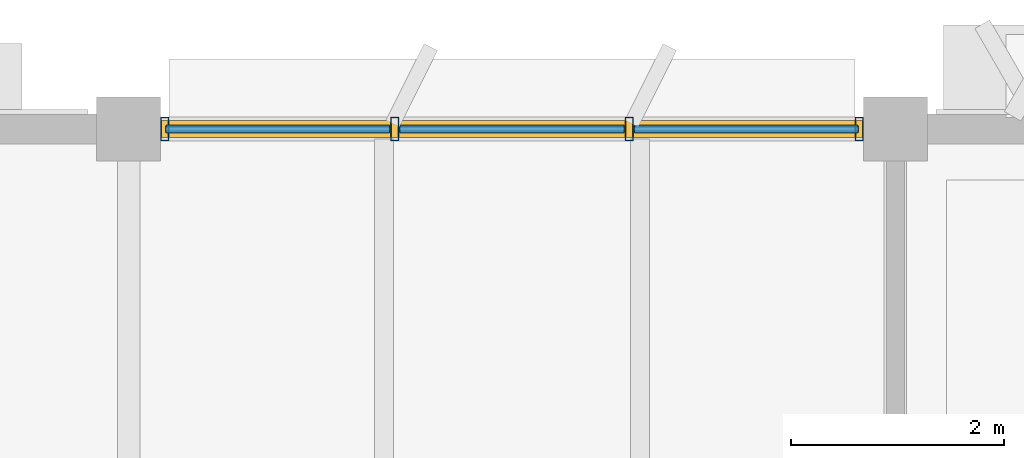
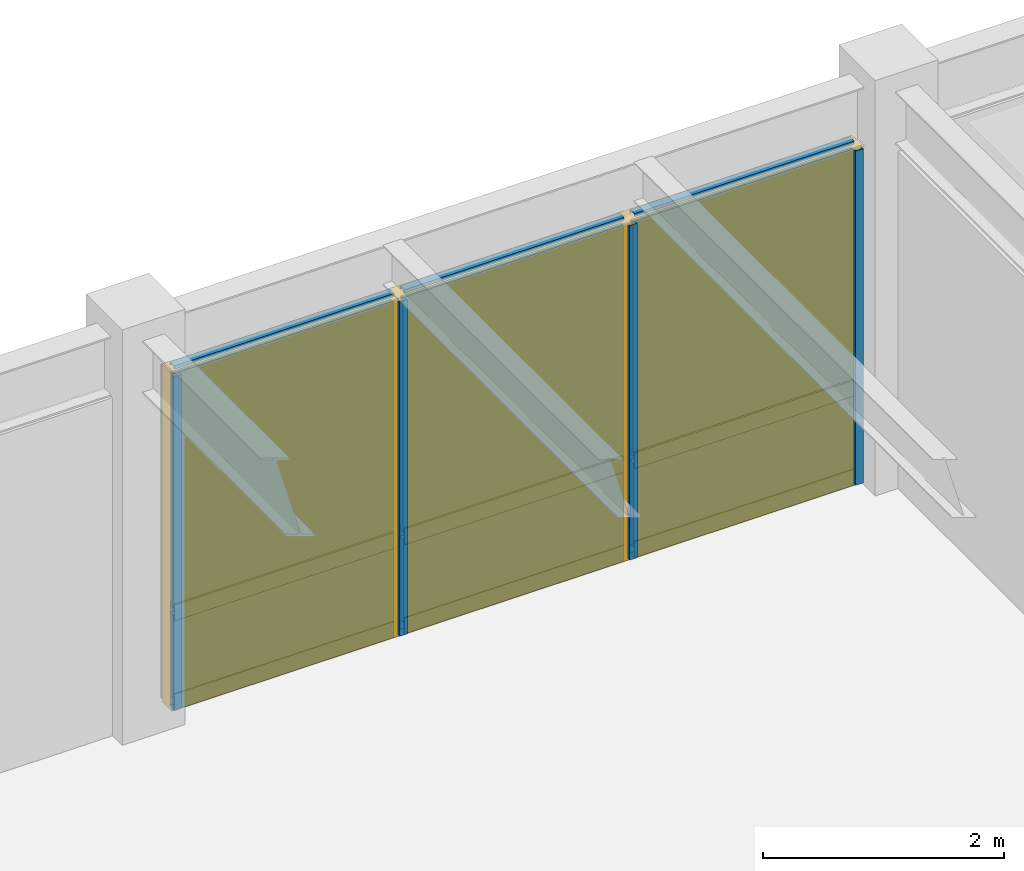
# One storey, part 64 of 85: 13 members, 6 plates, 1 curtain wall.
"""IFC4 building model written with IfcOpenShell, lengths in metres."""

from ifc_helpers import new_model, si_unit, direction, frame, origin, origin_2d, place, context, subcontext, project, spatial, rectangle, hollow_rectangle, extrude, material, layer, layer_set, material_profile, profile_set, type_object, element, aggregate, save


model = new_model("IFC4")

# Units and contexts
model_context = context("Model", 3, precision=1e-05, world=origin(), true_north=direction((0.0, 1.0)))
body_context = subcontext(model_context, "Body", "Model", "MODEL_VIEW")
ifc_project = project(units=[si_unit("LENGTHUNIT", "METRE"), si_unit("AREAUNIT", "SQUARE_METRE"), si_unit("VOLUMEUNIT", "CUBIC_METRE"), si_unit("PLANEANGLEUNIT", "RADIAN"), si_unit("MASSUNIT", "GRAM", prefix="KILO")], contexts=[model_context])

# Member
ifc_material_1 = material(Name="Anodized Aluminium 6063-T6", Category="aluminium")
ifc_material_profile_1 = material_profile(ifc_material_1, hollow_rectangle(XDim=0.074951171875, YDim=0.219970703125, WallThickness=0.0048828125, at=origin_2d()), Name="ALU 75x220x5")
ifc_profile_set_1 = profile_set([ifc_material_profile_1], Name="Anodized Aluminium 6063-T6")
member_type_1 = type_object("IfcMemberType", Name="CWM-75X180", PredefinedType="MULLION", material=ifc_profile_set_1)
site_placement = place(None, origin())
building_placement = place(site_placement, origin())
storey_placement = place(building_placement, frame((0.0, 0.0, 9.89990234375)))
member_1_placement = place(storey_placement, frame((93.93994140625, 115.199951171875, 0.02001953125), z_axis=(0.0, 0.0, 1.0), x_axis=(1.0, 0.0, 0.0)))
member_1 = element("IfcMember", 1, at=member_1_placement, type_object=member_type_1, Name="Curtain wall mullion CW-L03-13-15-N-00", PredefinedType="MULLION", context=body_context, shape_type="SweptSolid", body=[
    extrude(hollow_rectangle(XDim=0.074951171875, YDim=0.219970703125, WallThickness=0.0048828125, at=origin_2d()), origin(), (0.0, 0.0, 1.0), 3.378173828125),
])

member_2_placement = place(storey_placement, frame((96.10009765625, 115.199951171875, 0.02001953125), z_axis=(0.0, 0.0, 1.0), x_axis=(1.0, 0.0, 0.0)))
member_2 = element("IfcMember", 2, at=member_2_placement, type_object=member_type_1, Name="Curtain wall mullion CW-L03-13-15-N-01", PredefinedType="MULLION", context=body_context, shape_type="SweptSolid", body=[
    extrude(hollow_rectangle(XDim=0.074951171875, YDim=0.219970703125, WallThickness=0.0048828125, at=origin_2d()), origin(), (0.0, 0.0, 1.0), 3.378173828125),
])

member_3_placement = place(storey_placement, frame((98.300048828125, 115.199951171875, 0.02001953125), z_axis=(0.0, 0.0, 1.0), x_axis=(1.0, 0.0, 0.0)))
member_3 = element("IfcMember", 3, at=member_3_placement, type_object=member_type_1, Name="Curtain wall mullion CW-L03-13-15-N-02", PredefinedType="MULLION", context=body_context, shape_type="SweptSolid", body=[
    extrude(hollow_rectangle(XDim=0.074951171875, YDim=0.219970703125, WallThickness=0.0048828125, at=origin_2d()), origin(), (0.0, 0.0, 1.0), 3.378173828125),
])

member_4_placement = place(storey_placement, frame((100.4599609375, 115.199951171875, 0.02001953125), z_axis=(0.0, 0.0, 1.0), x_axis=(1.0, 0.0, 0.0)))
member_4 = element("IfcMember", 4, at=member_4_placement, type_object=member_type_1, Name="Curtain wall mullion CW-L03-13-15-N-03", PredefinedType="MULLION", context=body_context, shape_type="SweptSolid", body=[
    extrude(hollow_rectangle(XDim=0.074951171875, YDim=0.219970703125, WallThickness=0.0048828125, at=origin_2d()), origin(), (0.0, 0.0, 1.0), 3.378173828125),
])

ifc_material_profile_2 = material_profile(ifc_material_1, hollow_rectangle(XDim=0.074951171875, YDim=0.159912109375, WallThickness=0.00390625, at=origin_2d()), Name="ALU 75x160x4")
ifc_profile_set_2 = profile_set([ifc_material_profile_2], Name="Anodized Aluminium 6063-T6")
member_type_2 = type_object("IfcMemberType", Name="CWT-75X150", PredefinedType="USERDEFINED", material=ifc_profile_set_2)
member_5_placement = place(storey_placement, frame((93.949951171875, 115.199951171875, 0.050048828125), z_axis=(1.0, 0.0, 0.0), x_axis=(0.0, 1.0, 0.0)))
member_5 = element("IfcMember", 5, at=member_5_placement, type_object=member_type_2, Name="Curtain wall transom CW-L03-13-15-N-1.01", ObjectType="TRANSOM", PredefinedType="USERDEFINED", context=body_context, shape_type="SweptSolid", body=[
    extrude(hollow_rectangle(XDim=0.074951171875, YDim=0.159912109375, WallThickness=0.00390625, at=origin_2d()), origin(), (0.0, 0.0, 1.0), 2.10009765625),
])

member_6_placement = place(storey_placement, frame((96.14990234375, 115.199951171875, 0.050048828125), z_axis=(1.0, 0.0, 0.0), x_axis=(0.0, 1.0, 0.0)))
member_6 = element("IfcMember", 6, at=member_6_placement, type_object=member_type_2, Name="Curtain wall transom CW-L03-13-15-N-1.02", ObjectType="TRANSOM", PredefinedType="USERDEFINED", context=body_context, shape_type="SweptSolid", body=[
    extrude(hollow_rectangle(XDim=0.074951171875, YDim=0.159912109375, WallThickness=0.00390625, at=origin_2d()), origin(), (0.0, 0.0, 1.0), 2.10009765625),
])

member_7_placement = place(storey_placement, frame((98.35009765625, 115.199951171875, 0.050048828125), z_axis=(1.0, 0.0, 0.0), x_axis=(0.0, 1.0, 0.0)))
member_7 = element("IfcMember", 7, at=member_7_placement, type_object=member_type_2, Name="Curtain wall transom CW-L03-13-15-N-1.03", ObjectType="TRANSOM", PredefinedType="USERDEFINED", context=body_context, shape_type="SweptSolid", body=[
    extrude(hollow_rectangle(XDim=0.074951171875, YDim=0.159912109375, WallThickness=0.00390625, at=origin_2d()), origin(), (0.0, 0.0, 1.0), 2.099853515625),
])

member_8_placement = place(storey_placement, frame((93.949951171875, 115.199951171875, 0.9501953125), z_axis=(1.0, 0.0, 0.0), x_axis=(0.0, 1.0, 0.0)))
member_8 = element("IfcMember", 8, at=member_8_placement, type_object=member_type_2, Name="Curtain wall transom CW-L03-13-15-N-2.01", ObjectType="TRANSOM", PredefinedType="USERDEFINED", context=body_context, shape_type="SweptSolid", body=[
    extrude(hollow_rectangle(XDim=0.074951171875, YDim=0.159912109375, WallThickness=0.00390625, at=origin_2d()), origin(), (0.0, 0.0, 1.0), 2.10009765625),
])

member_9_placement = place(storey_placement, frame((96.14990234375, 115.199951171875, 0.9501953125), z_axis=(1.0, 0.0, 0.0), x_axis=(0.0, 1.0, 0.0)))
member_9 = element("IfcMember", 9, at=member_9_placement, type_object=member_type_2, Name="Curtain wall transom CW-L03-13-15-N-2.02", ObjectType="TRANSOM", PredefinedType="USERDEFINED", context=body_context, shape_type="SweptSolid", body=[
    extrude(hollow_rectangle(XDim=0.074951171875, YDim=0.159912109375, WallThickness=0.00390625, at=origin_2d()), origin(), (0.0, 0.0, 1.0), 2.10009765625),
])

member_10_placement = place(storey_placement, frame((98.35009765625, 115.199951171875, 0.9501953125), z_axis=(1.0, 0.0, 0.0), x_axis=(0.0, 1.0, 0.0)))
member_10 = element("IfcMember", 10, at=member_10_placement, type_object=member_type_2, Name="Curtain wall transom CW-L03-13-15-N-2.03", ObjectType="TRANSOM", PredefinedType="USERDEFINED", context=body_context, shape_type="SweptSolid", body=[
    extrude(hollow_rectangle(XDim=0.074951171875, YDim=0.159912109375, WallThickness=0.00390625, at=origin_2d()), origin(), (0.0, 0.0, 1.0), 2.099853515625),
])

member_11_placement = place(storey_placement, frame((93.949951171875, 115.199951171875, 3.3681640625), z_axis=(1.0, 0.0, 0.0), x_axis=(0.0, 1.0, 0.0)))
member_11 = element("IfcMember", 11, at=member_11_placement, type_object=member_type_2, Name="Curtain wall transom CW-L03-13-15-N-3.01", ObjectType="TRANSOM", PredefinedType="USERDEFINED", context=body_context, shape_type="SweptSolid", body=[
    extrude(hollow_rectangle(XDim=0.074951171875, YDim=0.159912109375, WallThickness=0.00390625, at=origin_2d()), origin(), (0.0, 0.0, 1.0), 2.10009765625),
])

member_12_placement = place(storey_placement, frame((96.14990234375, 115.199951171875, 3.3681640625), z_axis=(1.0, 0.0, 0.0), x_axis=(0.0, 1.0, 0.0)))
member_12 = element("IfcMember", 12, at=member_12_placement, type_object=member_type_2, Name="Curtain wall transom CW-L03-13-15-N-3.02", ObjectType="TRANSOM", PredefinedType="USERDEFINED", context=body_context, shape_type="SweptSolid", body=[
    extrude(hollow_rectangle(XDim=0.074951171875, YDim=0.159912109375, WallThickness=0.00390625, at=origin_2d()), origin(), (0.0, 0.0, 1.0), 2.10009765625),
])

member_13_placement = place(storey_placement, frame((98.35009765625, 115.199951171875, 3.3681640625), z_axis=(1.0, 0.0, 0.0), x_axis=(0.0, 1.0, 0.0)))
member_13 = element("IfcMember", 13, at=member_13_placement, type_object=member_type_2, Name="Curtain wall transom CW-L03-13-15-N-3.03", ObjectType="TRANSOM", PredefinedType="USERDEFINED", context=body_context, shape_type="SweptSolid", body=[
    extrude(hollow_rectangle(XDim=0.074951171875, YDim=0.159912109375, WallThickness=0.00390625, at=origin_2d()), origin(), (0.0, 0.0, 1.0), 2.099853515625),
])

# Plate
ifc_material_2 = material(Name="Acoustic Laminated Low-E Glazing", Category="glass")
ifc_layer_1 = layer(ifc_material_2, 0.0439453125)
ifc_layer_set_1 = layer_set([ifc_layer_1], Name="Acoustic Laminated Low-E Glazing")
plate_type_1 = type_object("IfcPlateType", Name="CWP-IGU-44", PredefinedType="CURTAIN_PANEL", material=ifc_layer_set_1)
plate_1_placement = place(storey_placement, frame((95.0, 115.199951171875, 0.990234375), z_axis=(0.0, 0.0, 1.0), x_axis=(1.0, 0.0, 0.0)))
plate_1 = element("IfcPlate", 14, at=plate_1_placement, type_object=plate_type_1, Name="Curtain wall vision glazing CW-L03-13-15-N-01", PredefinedType="CURTAIN_PANEL", context=body_context, shape_type="SweptSolid", body=[
    extrude(rectangle(XDim=2.110107421875, YDim=0.0400390625, at=origin_2d()), origin(), (0.0, 0.0, 1.0), 2.367919921875),
])

plate_2_placement = place(storey_placement, frame((97.199951171875, 115.199951171875, 0.990234375), z_axis=(0.0, 0.0, 1.0), x_axis=(1.0, 0.0, 0.0)))
plate_2 = element("IfcPlate", 15, at=plate_2_placement, type_object=plate_type_1, Name="Curtain wall vision glazing CW-L03-13-15-N-02", PredefinedType="CURTAIN_PANEL", context=body_context, shape_type="SweptSolid", body=[
    extrude(rectangle(XDim=2.110107421875, YDim=0.0400390625, at=origin_2d()), origin(), (0.0, 0.0, 1.0), 2.367919921875),
])

plate_3_placement = place(storey_placement, frame((99.39990234375, 115.199951171875, 0.990234375), z_axis=(0.0, 0.0, 1.0), x_axis=(1.0, 0.0, 0.0)))
plate_3 = element("IfcPlate", 16, at=plate_3_placement, type_object=plate_type_1, Name="Curtain wall vision glazing CW-L03-13-15-N-03", PredefinedType="CURTAIN_PANEL", context=body_context, shape_type="SweptSolid", body=[
    extrude(rectangle(XDim=2.110107421875, YDim=0.0400390625, at=origin_2d()), origin(), (0.0, 0.0, 1.0), 2.367919921875),
])

ifc_material_3 = material(Name="Insulated Stone-Composite Spandrel", Category="masonry")
ifc_layer_2 = layer(ifc_material_3, 0.068115234375)
ifc_layer_set_2 = layer_set([ifc_layer_2], Name="Insulated Stone-Composite Spandrel")
plate_type_2 = type_object("IfcPlateType", Name="CWP-SPN-68", PredefinedType="CURTAIN_PANEL", material=ifc_layer_set_2)
plate_4_placement = place(storey_placement, frame((95.0, 115.199951171875, 0.080078125), z_axis=(0.0, 0.0, 1.0), x_axis=(1.0, 0.0, 0.0)))
plate_4 = element("IfcPlate", 17, at=plate_4_placement, type_object=plate_type_2, Name="Curtain wall spandrel panel CW-L03-13-15-N-01", PredefinedType="CURTAIN_PANEL", context=body_context, shape_type="SweptSolid", body=[
    extrude(rectangle(XDim=2.110107421875, YDim=0.06005859375, at=origin_2d()), origin(), (0.0, 0.0, 1.0), 0.840087890625),
])

plate_5_placement = place(storey_placement, frame((97.199951171875, 115.199951171875, 0.080078125), z_axis=(0.0, 0.0, 1.0), x_axis=(1.0, 0.0, 0.0)))
plate_5 = element("IfcPlate", 18, at=plate_5_placement, type_object=plate_type_2, Name="Curtain wall spandrel panel CW-L03-13-15-N-02", PredefinedType="CURTAIN_PANEL", context=body_context, shape_type="SweptSolid", body=[
    extrude(rectangle(XDim=2.110107421875, YDim=0.06005859375, at=origin_2d()), origin(), (0.0, 0.0, 1.0), 0.840087890625),
])

plate_6_placement = place(storey_placement, frame((99.39990234375, 115.199951171875, 0.080078125), z_axis=(0.0, 0.0, 1.0), x_axis=(1.0, 0.0, 0.0)))
plate_6 = element("IfcPlate", 19, at=plate_6_placement, type_object=plate_type_2, Name="Curtain wall spandrel panel CW-L03-13-15-N-03", PredefinedType="CURTAIN_PANEL", context=body_context, shape_type="SweptSolid", body=[
    extrude(rectangle(XDim=2.110107421875, YDim=0.06005859375, at=origin_2d()), origin(), (0.0, 0.0, 1.0), 0.840087890625),
])

# Site, building, storey
site = spatial("IfcSite", under=ifc_project, at=site_placement, CompositionType="ELEMENT")
building = spatial("IfcBuilding", under=site, at=building_placement, Name="Sillqori Civic Hall", CompositionType="ELEMENT")
storey = spatial("IfcBuildingStorey", under=building, at=storey_placement, Name="L03", CompositionType="ELEMENT", Elevation=9.89990234375)

# Curtain wall
ifc_material_4 = material(Name="Anodized Aluminium Curtain Wall System", Category="aluminium")
curtain_wall_type = type_object("IfcCurtainWallType", Name="CW-GL-400", PredefinedType="NOTDEFINED", material=ifc_material_4)
curtain_wall_placement = place(storey_placement, frame((97.199951171875, 115.199951171875, 0.0), z_axis=(0.0, 0.0, 1.0), x_axis=(1.0, 0.0, 0.0)))
curtain_wall = element("IfcCurtainWall", 20, at=curtain_wall_placement, inside=storey, type_object=curtain_wall_type, Name="L03 unitised curtain wall CW-L03-13-15-N", PredefinedType="NOTDEFINED", context=body_context, shape_type="SweptSolid", body=[
    extrude(rectangle(XDim=6.60009765625, YDim=0.159912109375, at=origin_2d()), origin(), (0.0, 0.0, 1.0), 3.41796875),
])

aggregate(curtain_wall, [member_1, member_2, member_3, member_4, member_5, member_6, member_7, member_8, member_9, member_10, member_11, member_12, member_13, plate_4, plate_1, plate_5, plate_2, plate_6, plate_3])

save(model, "model.ifc")
